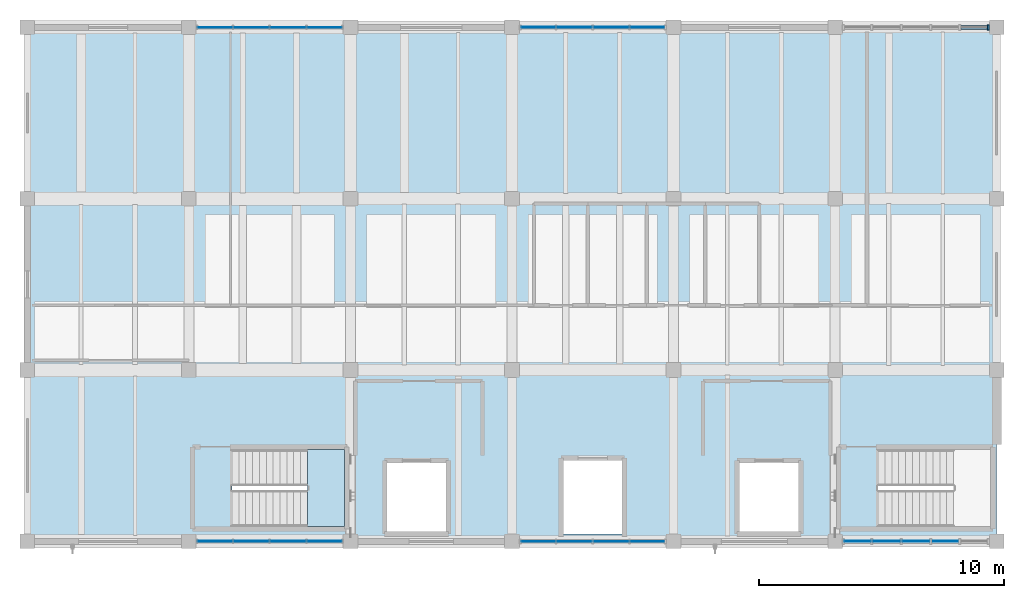
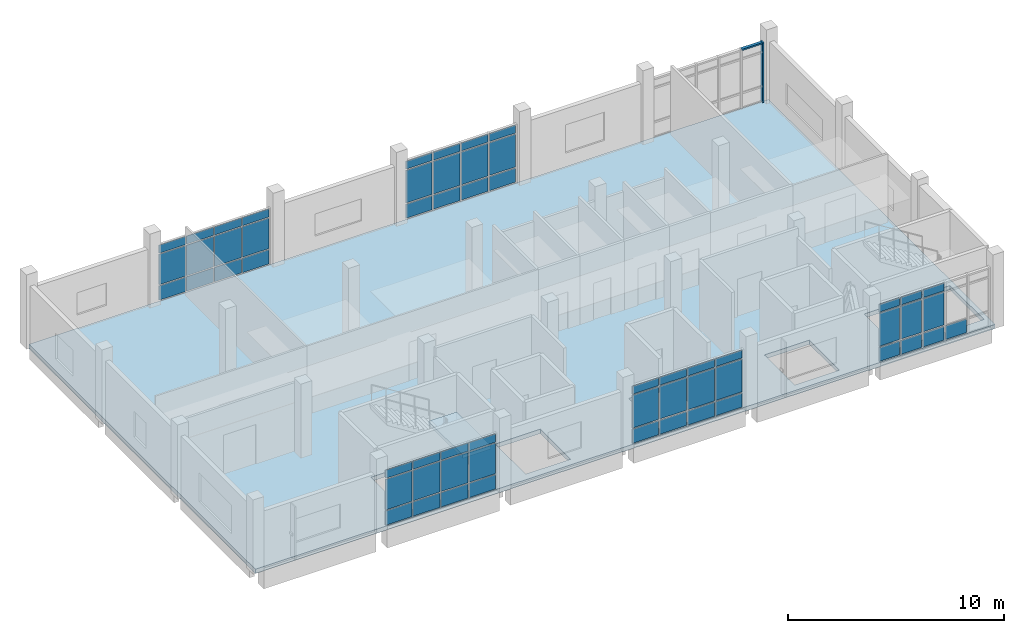
# One storey, part 6 of 14: 58 plates, 2 members, 2 slabs, 7 elements without a shape of their own.
"""IFC4 building model written with IfcOpenShell, lengths in metres."""

from ifc_helpers import new_model, si_unit, direction, frame, origin, origin_2d, place, context, subcontext, project, spatial, polyline, rectangle, outline, extrude, material, layer, layer_set, material_profile, profile_set, type_object, element, aggregate, save


model = new_model("IFC4")

# Units and contexts
model_context = context("Model", 3, precision=1e-05, world=origin(), true_north=direction((0.0, 1.0)))
body_context = subcontext(model_context, "Body", "Model", "MODEL_VIEW")
ifc_project = project(units=[si_unit("LENGTHUNIT", "METRE"), si_unit("AREAUNIT", "SQUARE_METRE"), si_unit("VOLUMEUNIT", "CUBIC_METRE"), si_unit("PLANEANGLEUNIT", "RADIAN"), si_unit("MASSUNIT", "GRAM", prefix="KILO")], contexts=[model_context])

# Site, building, storey
site_placement = place(None, origin())
site = spatial("IfcSite", under=ifc_project, at=site_placement, CompositionType="ELEMENT")
building_placement = place(site_placement, origin())
building = spatial("IfcBuilding", under=site, at=building_placement, Name="Ciguamira Faculty of Natural Sciences", CompositionType="ELEMENT")
storey_placement = place(building_placement, frame((0.0, 0.0, 33.60009765625)))
storey = spatial("IfcBuildingStorey", under=building, at=storey_placement, Name="L08", CompositionType="ELEMENT", Elevation=33.60009765625)

# Curtain wall, members
ifc_material_1 = material(Name="Anodized aluminium curtain wall", Category="aluminium")
curtain_wall_type_1 = type_object("IfcCurtainWallType", Name="CurtainWall_CW-03", PredefinedType="USERDEFINED", material=ifc_material_1)
curtain_wall_1_placement = place(storey_placement, origin())
curtain_wall_1 = element("IfcCurtainWall", 1, at=curtain_wall_1_placement, inside=storey, type_object=curtain_wall_type_1, Name="L08 unitised curtain wall 0159", ObjectType="UNITISED CURTAIN WALL", PredefinedType="USERDEFINED")
ifc_material_2 = material(Name="Anodized aluminium mullion", Category="aluminium")
ifc_material_profile_1 = material_profile(ifc_material_2, rectangle(XDim=0.080078125, YDim=0.219970703125, at=origin_2d()), Name="ALU-MUL-80X220")
ifc_profile_set_1 = profile_set([ifc_material_profile_1], Name="Anodized aluminium mullion")
member_type_1 = type_object("IfcMemberType", Name="CWMullion_CWM-03", PredefinedType="MULLION", material=ifc_profile_set_1)
member_1_placement = place(storey_placement, frame((103.159912109375, 115.0, 0.0), z_axis=(0.0, 0.0, 1.0), x_axis=(1.0, 0.0, 0.0)))
member_1 = element("IfcMember", 2, at=member_1_placement, type_object=member_type_1, Name="CW-03 mullion 6", PredefinedType="MULLION", context=body_context, shape_type="SweptSolid", body=[
    extrude(rectangle(XDim=0.080078125, YDim=0.219970703125, at=origin_2d()), origin(), (0.0, 0.0, 1.0), 3.385009765625),
])
ifc_material_3 = material(Name="Anodized aluminium transom", Category="aluminium")
ifc_material_profile_2 = material_profile(ifc_material_3, rectangle(XDim=0.080078125, YDim=0.159912109375, at=origin_2d()), Name="ALU-TRN-80X160")
ifc_profile_set_2 = profile_set([ifc_material_profile_2], Name="Anodized aluminium transom")
member_type_2 = type_object("IfcMemberType", Name="CWTransom_CWT-03", PredefinedType="USERDEFINED", material=ifc_profile_set_2)
member_2_placement = place(storey_placement, frame((102.0400390625, 115.0, 3.344970703125), z_axis=(1.0, 0.0, 0.0), x_axis=(0.0, 0.0, 1.0)))
member_2 = element("IfcMember", 3, at=member_2_placement, type_object=member_type_2, Name="CW-03 transom 5.4", ObjectType="TRANSOM", PredefinedType="USERDEFINED", context=body_context, shape_type="SweptSolid", body=[
    extrude(rectangle(XDim=0.080078125, YDim=0.159912109375, at=origin_2d()), origin(), (0.0, 0.0, 1.0), 1.080078125),
])
aggregate(curtain_wall_1, [member_1, member_2])

# Curtain wall, plates
curtain_wall_type_2 = type_object("IfcCurtainWallType", Name="CurtainWall_CW-11", PredefinedType="USERDEFINED", material=ifc_material_1)
curtain_wall_2_placement = place(storey_placement, origin())
curtain_wall_2 = element("IfcCurtainWall", 4, at=curtain_wall_2_placement, inside=storey, type_object=curtain_wall_type_2, Name="L08 unitised curtain wall 0155", ObjectType="UNITISED CURTAIN WALL", PredefinedType="USERDEFINED")
ifc_material_4 = material(Name="Low-E laminated solar glass", Category="glass")
ifc_layer_1 = layer(ifc_material_4, 0.028076171875, Name="Low-E laminated solar glass")
ifc_layer_set_1 = layer_set([ifc_layer_1], Name="Low-E laminated solar glass")
plate_type_1 = type_object("IfcPlateType", Name="CWPanel_CWP-01", PredefinedType="CURTAIN_PANEL", material=ifc_layer_set_1)
plate_1_placement = place(storey_placement, frame((84.767578125, 94.0, 0.06982421875), z_axis=(0.0, 0.0, 1.0), x_axis=(1.0, 0.0, 0.0)))
plate_1 = element("IfcPlate", 5, at=plate_1_placement, type_object=plate_type_1, Name="CW-11 panel 1.1", PredefinedType="CURTAIN_PANEL", context=body_context, shape_type="SweptSolid", body=[
    extrude(rectangle(XDim=1.39501953125, YDim=0.028076171875, at=origin_2d()), origin(), (0.0, 0.0, 1.0), 0.794921875),
])
plate_2_placement = place(storey_placement, frame((84.767578125, 94.0, 0.93505859375), z_axis=(0.0, 0.0, 1.0), x_axis=(1.0, 0.0, 0.0)))
plate_2 = element("IfcPlate", 6, at=plate_2_placement, type_object=plate_type_1, Name="CW-11 panel 1.2", PredefinedType="CURTAIN_PANEL", context=body_context, shape_type="SweptSolid", body=[
    extrude(rectangle(XDim=1.39501953125, YDim=0.028076171875, at=origin_2d()), origin(), (0.0, 0.0, 1.0), 1.844970703125),
])
plate_3_placement = place(storey_placement, frame((84.767578125, 94.0, 2.85009765625), z_axis=(0.0, 0.0, 1.0), x_axis=(1.0, 0.0, 0.0)))
plate_3 = element("IfcPlate", 7, at=plate_3_placement, type_object=plate_type_1, Name="CW-11 panel 1.3", PredefinedType="CURTAIN_PANEL", context=body_context, shape_type="SweptSolid", body=[
    extrude(rectangle(XDim=1.39501953125, YDim=0.028076171875, at=origin_2d()), origin(), (0.0, 0.0, 1.0), 0.445068359375),
])
plate_4_placement = place(storey_placement, frame((86.25, 94.0, 0.06982421875), z_axis=(0.0, 0.0, 1.0), x_axis=(1.0, 0.0, 0.0)))
plate_4 = element("IfcPlate", 8, at=plate_4_placement, type_object=plate_type_1, Name="CW-11 panel 2.1", PredefinedType="CURTAIN_PANEL", context=body_context, shape_type="SweptSolid", body=[
    extrude(rectangle(XDim=1.429931640625, YDim=0.028076171875, at=origin_2d()), origin(), (0.0, 0.0, 1.0), 0.794921875),
])
plate_5_placement = place(storey_placement, frame((86.25, 94.0, 0.93505859375), z_axis=(0.0, 0.0, 1.0), x_axis=(1.0, 0.0, 0.0)))
plate_5 = element("IfcPlate", 9, at=plate_5_placement, type_object=plate_type_1, Name="CW-11 panel 2.2", PredefinedType="CURTAIN_PANEL", context=body_context, shape_type="SweptSolid", body=[
    extrude(rectangle(XDim=1.429931640625, YDim=0.028076171875, at=origin_2d()), origin(), (0.0, 0.0, 1.0), 1.844970703125),
])
plate_6_placement = place(storey_placement, frame((86.25, 94.0, 2.85009765625), z_axis=(0.0, 0.0, 1.0), x_axis=(1.0, 0.0, 0.0)))
plate_6 = element("IfcPlate", 10, at=plate_6_placement, type_object=plate_type_1, Name="CW-11 panel 2.3", PredefinedType="CURTAIN_PANEL", context=body_context, shape_type="SweptSolid", body=[
    extrude(rectangle(XDim=1.429931640625, YDim=0.028076171875, at=origin_2d()), origin(), (0.0, 0.0, 1.0), 0.445068359375),
])
plate_7_placement = place(storey_placement, frame((87.75, 94.0, 0.06982421875), z_axis=(0.0, 0.0, 1.0), x_axis=(1.0, 0.0, 0.0)))
plate_7 = element("IfcPlate", 11, at=plate_7_placement, type_object=plate_type_1, Name="CW-11 panel 3.1", PredefinedType="CURTAIN_PANEL", context=body_context, shape_type="SweptSolid", body=[
    extrude(rectangle(XDim=1.429931640625, YDim=0.028076171875, at=origin_2d()), origin(), (0.0, 0.0, 1.0), 0.794921875),
])
plate_8_placement = place(storey_placement, frame((87.75, 94.0, 0.93505859375), z_axis=(0.0, 0.0, 1.0), x_axis=(1.0, 0.0, 0.0)))
plate_8 = element("IfcPlate", 12, at=plate_8_placement, type_object=plate_type_1, Name="CW-11 panel 3.2", PredefinedType="CURTAIN_PANEL", context=body_context, shape_type="SweptSolid", body=[
    extrude(rectangle(XDim=1.429931640625, YDim=0.028076171875, at=origin_2d()), origin(), (0.0, 0.0, 1.0), 1.844970703125),
])
plate_9_placement = place(storey_placement, frame((87.75, 94.0, 2.85009765625), z_axis=(0.0, 0.0, 1.0), x_axis=(1.0, 0.0, 0.0)))
plate_9 = element("IfcPlate", 13, at=plate_9_placement, type_object=plate_type_1, Name="CW-11 panel 3.3", PredefinedType="CURTAIN_PANEL", context=body_context, shape_type="SweptSolid", body=[
    extrude(rectangle(XDim=1.429931640625, YDim=0.028076171875, at=origin_2d()), origin(), (0.0, 0.0, 1.0), 0.445068359375),
])
plate_10_placement = place(storey_placement, frame((89.232421875, 94.0, 0.06982421875), z_axis=(0.0, 0.0, 1.0), x_axis=(1.0, 0.0, 0.0)))
plate_10 = element("IfcPlate", 14, at=plate_10_placement, type_object=plate_type_1, Name="CW-11 panel 4.1", PredefinedType="CURTAIN_PANEL", context=body_context, shape_type="SweptSolid", body=[
    extrude(rectangle(XDim=1.39501953125, YDim=0.028076171875, at=origin_2d()), origin(), (0.0, 0.0, 1.0), 0.794921875),
])
plate_11_placement = place(storey_placement, frame((89.232421875, 94.0, 0.93505859375), z_axis=(0.0, 0.0, 1.0), x_axis=(1.0, 0.0, 0.0)))
plate_11 = element("IfcPlate", 15, at=plate_11_placement, type_object=plate_type_1, Name="CW-11 panel 4.2", PredefinedType="CURTAIN_PANEL", context=body_context, shape_type="SweptSolid", body=[
    extrude(rectangle(XDim=1.39501953125, YDim=0.028076171875, at=origin_2d()), origin(), (0.0, 0.0, 1.0), 1.844970703125),
])
plate_12_placement = place(storey_placement, frame((89.232421875, 94.0, 2.85009765625), z_axis=(0.0, 0.0, 1.0), x_axis=(1.0, 0.0, 0.0)))
plate_12 = element("IfcPlate", 16, at=plate_12_placement, type_object=plate_type_1, Name="CW-11 panel 4.3", PredefinedType="CURTAIN_PANEL", context=body_context, shape_type="SweptSolid", body=[
    extrude(rectangle(XDim=1.39501953125, YDim=0.028076171875, at=origin_2d()), origin(), (0.0, 0.0, 1.0), 0.445068359375),
])
aggregate(curtain_wall_2, [plate_1, plate_2, plate_3, plate_4, plate_5, plate_6, plate_7, plate_8, plate_9, plate_10, plate_11, plate_12])

curtain_wall_type_3 = type_object("IfcCurtainWallType", Name="CurtainWall_CW-01", PredefinedType="USERDEFINED", material=ifc_material_1)
curtain_wall_3_placement = place(storey_placement, origin())
curtain_wall_3 = element("IfcCurtainWall", 17, at=curtain_wall_3_placement, inside=storey, type_object=curtain_wall_type_3, Name="L08 unitised curtain wall 0157", ObjectType="UNITISED CURTAIN WALL", PredefinedType="USERDEFINED")
plate_13_placement = place(storey_placement, frame((71.56494140625, 115.0, 0.059814453125), z_axis=(0.0, 0.0, 1.0), x_axis=(1.0, 0.0, 0.0)))
plate_13 = element("IfcPlate", 18, at=plate_13_placement, type_object=plate_type_1, Name="CW-01 panel 1.1", PredefinedType="CURTAIN_PANEL", context=body_context, shape_type="SweptSolid", body=[
    extrude(rectangle(XDim=1.409912109375, YDim=0.028076171875, at=origin_2d()), origin(), (0.0, 0.0, 1.0), 0.81005859375),
])
plate_14_placement = place(storey_placement, frame((71.56494140625, 115.0, 0.929931640625), z_axis=(0.0, 0.0, 1.0), x_axis=(1.0, 0.0, 0.0)))
plate_14 = element("IfcPlate", 19, at=plate_14_placement, type_object=plate_type_1, Name="CW-01 panel 1.2", PredefinedType="CURTAIN_PANEL", context=body_context, shape_type="SweptSolid", body=[
    extrude(rectangle(XDim=1.409912109375, YDim=0.028076171875, at=origin_2d()), origin(), (0.0, 0.0, 1.0), 1.72509765625),
])
plate_15_placement = place(storey_placement, frame((71.56494140625, 115.0, 2.71484375), z_axis=(0.0, 0.0, 1.0), x_axis=(1.0, 0.0, 0.0)))
plate_15 = element("IfcPlate", 20, at=plate_15_placement, type_object=plate_type_1, Name="CW-01 panel 1.3", PredefinedType="CURTAIN_PANEL", context=body_context, shape_type="SweptSolid", body=[
    extrude(rectangle(XDim=1.409912109375, YDim=0.028076171875, at=origin_2d()), origin(), (0.0, 0.0, 1.0), 0.4599609375),
])
plate_16_placement = place(storey_placement, frame((73.050048828125, 115.0, 0.059814453125), z_axis=(0.0, 0.0, 1.0), x_axis=(1.0, 0.0, 0.0)))
plate_16 = element("IfcPlate", 21, at=plate_16_placement, type_object=plate_type_1, Name="CW-01 panel 2.1", PredefinedType="CURTAIN_PANEL", context=body_context, shape_type="SweptSolid", body=[
    extrude(rectangle(XDim=1.43994140625, YDim=0.028076171875, at=origin_2d()), origin(), (0.0, 0.0, 1.0), 0.81005859375),
])
plate_17_placement = place(storey_placement, frame((73.050048828125, 115.0, 0.929931640625), z_axis=(0.0, 0.0, 1.0), x_axis=(1.0, 0.0, 0.0)))
plate_17 = element("IfcPlate", 22, at=plate_17_placement, type_object=plate_type_1, Name="CW-01 panel 2.2", PredefinedType="CURTAIN_PANEL", context=body_context, shape_type="SweptSolid", body=[
    extrude(rectangle(XDim=1.43994140625, YDim=0.028076171875, at=origin_2d()), origin(), (0.0, 0.0, 1.0), 1.72509765625),
])
plate_18_placement = place(storey_placement, frame((73.050048828125, 115.0, 2.71484375), z_axis=(0.0, 0.0, 1.0), x_axis=(1.0, 0.0, 0.0)))
plate_18 = element("IfcPlate", 23, at=plate_18_placement, type_object=plate_type_1, Name="CW-01 panel 2.3", PredefinedType="CURTAIN_PANEL", context=body_context, shape_type="SweptSolid", body=[
    extrude(rectangle(XDim=1.43994140625, YDim=0.028076171875, at=origin_2d()), origin(), (0.0, 0.0, 1.0), 0.4599609375),
])
plate_19_placement = place(storey_placement, frame((74.550048828125, 115.0, 0.059814453125), z_axis=(0.0, 0.0, 1.0), x_axis=(1.0, 0.0, 0.0)))
plate_19 = element("IfcPlate", 24, at=plate_19_placement, type_object=plate_type_1, Name="CW-01 panel 3.1", PredefinedType="CURTAIN_PANEL", context=body_context, shape_type="SweptSolid", body=[
    extrude(rectangle(XDim=1.43994140625, YDim=0.028076171875, at=origin_2d()), origin(), (0.0, 0.0, 1.0), 0.81005859375),
])
plate_20_placement = place(storey_placement, frame((74.550048828125, 115.0, 0.929931640625), z_axis=(0.0, 0.0, 1.0), x_axis=(1.0, 0.0, 0.0)))
plate_20 = element("IfcPlate", 25, at=plate_20_placement, type_object=plate_type_1, Name="CW-01 panel 3.2", PredefinedType="CURTAIN_PANEL", context=body_context, shape_type="SweptSolid", body=[
    extrude(rectangle(XDim=1.43994140625, YDim=0.028076171875, at=origin_2d()), origin(), (0.0, 0.0, 1.0), 1.72509765625),
])
plate_21_placement = place(storey_placement, frame((74.550048828125, 115.0, 2.71484375), z_axis=(0.0, 0.0, 1.0), x_axis=(1.0, 0.0, 0.0)))
plate_21 = element("IfcPlate", 26, at=plate_21_placement, type_object=plate_type_1, Name="CW-01 panel 3.3", PredefinedType="CURTAIN_PANEL", context=body_context, shape_type="SweptSolid", body=[
    extrude(rectangle(XDim=1.43994140625, YDim=0.028076171875, at=origin_2d()), origin(), (0.0, 0.0, 1.0), 0.4599609375),
])
plate_22_placement = place(storey_placement, frame((76.034912109375, 115.0, 0.059814453125), z_axis=(0.0, 0.0, 1.0), x_axis=(1.0, 0.0, 0.0)))
plate_22 = element("IfcPlate", 27, at=plate_22_placement, type_object=plate_type_1, Name="CW-01 panel 4.1", PredefinedType="CURTAIN_PANEL", context=body_context, shape_type="SweptSolid", body=[
    extrude(rectangle(XDim=1.409912109375, YDim=0.028076171875, at=origin_2d()), origin(), (0.0, 0.0, 1.0), 0.81005859375),
])
plate_23_placement = place(storey_placement, frame((76.034912109375, 115.0, 0.929931640625), z_axis=(0.0, 0.0, 1.0), x_axis=(1.0, 0.0, 0.0)))
plate_23 = element("IfcPlate", 28, at=plate_23_placement, type_object=plate_type_1, Name="CW-01 panel 4.2", PredefinedType="CURTAIN_PANEL", context=body_context, shape_type="SweptSolid", body=[
    extrude(rectangle(XDim=1.409912109375, YDim=0.028076171875, at=origin_2d()), origin(), (0.0, 0.0, 1.0), 1.72509765625),
])
plate_24_placement = place(storey_placement, frame((76.034912109375, 115.0, 2.71484375), z_axis=(0.0, 0.0, 1.0), x_axis=(1.0, 0.0, 0.0)))
plate_24 = element("IfcPlate", 29, at=plate_24_placement, type_object=plate_type_1, Name="CW-01 panel 4.3", PredefinedType="CURTAIN_PANEL", context=body_context, shape_type="SweptSolid", body=[
    extrude(rectangle(XDim=1.409912109375, YDim=0.028076171875, at=origin_2d()), origin(), (0.0, 0.0, 1.0), 0.4599609375),
])
aggregate(curtain_wall_3, [plate_13, plate_14, plate_15, plate_16, plate_17, plate_18, plate_19, plate_20, plate_21, plate_22, plate_23, plate_24])

curtain_wall_type_4 = type_object("IfcCurtainWallType", Name="CurtainWall_CW-10", PredefinedType="USERDEFINED", material=ifc_material_1)
curtain_wall_4_placement = place(storey_placement, origin())
curtain_wall_4 = element("IfcCurtainWall", 30, at=curtain_wall_4_placement, inside=storey, type_object=curtain_wall_type_4, Name="L08 unitised curtain wall 0154", ObjectType="UNITISED CURTAIN WALL", PredefinedType="USERDEFINED")
ifc_layer_2 = layer(ifc_material_4, 0.035888671875, Name="Low-E laminated solar glass")
ifc_layer_set_2 = layer_set([ifc_layer_2], Name="Low-E laminated solar glass")
plate_type_2 = type_object("IfcPlateType", Name="CWPanel_CWP-02", PredefinedType="CURTAIN_PANEL", material=ifc_layer_set_2)
plate_25_placement = place(storey_placement, frame((71.56494140625, 94.0, 0.059814453125), z_axis=(0.0, 0.0, 1.0), x_axis=(1.0, 0.0, 0.0)))
plate_25 = element("IfcPlate", 31, at=plate_25_placement, type_object=plate_type_2, Name="CW-10 panel 1.1", PredefinedType="CURTAIN_PANEL", context=body_context, shape_type="SweptSolid", body=[
    extrude(rectangle(XDim=1.409912109375, YDim=0.035888671875, at=origin_2d()), origin(), (0.0, 0.0, 1.0), 0.81005859375),
])
plate_26_placement = place(storey_placement, frame((71.56494140625, 94.0, 0.929931640625), z_axis=(0.0, 0.0, 1.0), x_axis=(1.0, 0.0, 0.0)))
plate_26 = element("IfcPlate", 32, at=plate_26_placement, type_object=plate_type_2, Name="CW-10 panel 1.2", PredefinedType="CURTAIN_PANEL", context=body_context, shape_type="SweptSolid", body=[
    extrude(rectangle(XDim=1.409912109375, YDim=0.035888671875, at=origin_2d()), origin(), (0.0, 0.0, 1.0), 1.72509765625),
])
plate_27_placement = place(storey_placement, frame((71.56494140625, 94.0, 2.71484375), z_axis=(0.0, 0.0, 1.0), x_axis=(1.0, 0.0, 0.0)))
plate_27 = element("IfcPlate", 33, at=plate_27_placement, type_object=plate_type_2, Name="CW-10 panel 1.3", PredefinedType="CURTAIN_PANEL", context=body_context, shape_type="SweptSolid", body=[
    extrude(rectangle(XDim=1.409912109375, YDim=0.035888671875, at=origin_2d()), origin(), (0.0, 0.0, 1.0), 0.4599609375),
])
plate_28_placement = place(storey_placement, frame((73.050048828125, 94.0, 0.059814453125), z_axis=(0.0, 0.0, 1.0), x_axis=(1.0, 0.0, 0.0)))
plate_28 = element("IfcPlate", 34, at=plate_28_placement, type_object=plate_type_2, Name="CW-10 panel 2.1", PredefinedType="CURTAIN_PANEL", context=body_context, shape_type="SweptSolid", body=[
    extrude(rectangle(XDim=1.43994140625, YDim=0.035888671875, at=origin_2d()), origin(), (0.0, 0.0, 1.0), 0.81005859375),
])
plate_29_placement = place(storey_placement, frame((73.050048828125, 94.0, 0.929931640625), z_axis=(0.0, 0.0, 1.0), x_axis=(1.0, 0.0, 0.0)))
plate_29 = element("IfcPlate", 35, at=plate_29_placement, type_object=plate_type_2, Name="CW-10 panel 2.2", PredefinedType="CURTAIN_PANEL", context=body_context, shape_type="SweptSolid", body=[
    extrude(rectangle(XDim=1.43994140625, YDim=0.035888671875, at=origin_2d()), origin(), (0.0, 0.0, 1.0), 1.72509765625),
])
plate_30_placement = place(storey_placement, frame((73.050048828125, 94.0, 2.71484375), z_axis=(0.0, 0.0, 1.0), x_axis=(1.0, 0.0, 0.0)))
plate_30 = element("IfcPlate", 36, at=plate_30_placement, type_object=plate_type_2, Name="CW-10 panel 2.3", PredefinedType="CURTAIN_PANEL", context=body_context, shape_type="SweptSolid", body=[
    extrude(rectangle(XDim=1.43994140625, YDim=0.035888671875, at=origin_2d()), origin(), (0.0, 0.0, 1.0), 0.4599609375),
])
plate_31_placement = place(storey_placement, frame((74.550048828125, 94.0, 0.059814453125), z_axis=(0.0, 0.0, 1.0), x_axis=(1.0, 0.0, 0.0)))
plate_31 = element("IfcPlate", 37, at=plate_31_placement, type_object=plate_type_2, Name="CW-10 panel 3.1", PredefinedType="CURTAIN_PANEL", context=body_context, shape_type="SweptSolid", body=[
    extrude(rectangle(XDim=1.43994140625, YDim=0.035888671875, at=origin_2d()), origin(), (0.0, 0.0, 1.0), 0.81005859375),
])
plate_32_placement = place(storey_placement, frame((74.550048828125, 94.0, 0.929931640625), z_axis=(0.0, 0.0, 1.0), x_axis=(1.0, 0.0, 0.0)))
plate_32 = element("IfcPlate", 38, at=plate_32_placement, type_object=plate_type_2, Name="CW-10 panel 3.2", PredefinedType="CURTAIN_PANEL", context=body_context, shape_type="SweptSolid", body=[
    extrude(rectangle(XDim=1.43994140625, YDim=0.035888671875, at=origin_2d()), origin(), (0.0, 0.0, 1.0), 1.72509765625),
])
plate_33_placement = place(storey_placement, frame((74.550048828125, 94.0, 2.71484375), z_axis=(0.0, 0.0, 1.0), x_axis=(1.0, 0.0, 0.0)))
plate_33 = element("IfcPlate", 39, at=plate_33_placement, type_object=plate_type_2, Name="CW-10 panel 3.3", PredefinedType="CURTAIN_PANEL", context=body_context, shape_type="SweptSolid", body=[
    extrude(rectangle(XDim=1.43994140625, YDim=0.035888671875, at=origin_2d()), origin(), (0.0, 0.0, 1.0), 0.4599609375),
])
plate_34_placement = place(storey_placement, frame((76.034912109375, 94.0, 0.059814453125), z_axis=(0.0, 0.0, 1.0), x_axis=(1.0, 0.0, 0.0)))
plate_34 = element("IfcPlate", 40, at=plate_34_placement, type_object=plate_type_2, Name="CW-10 panel 4.1", PredefinedType="CURTAIN_PANEL", context=body_context, shape_type="SweptSolid", body=[
    extrude(rectangle(XDim=1.409912109375, YDim=0.035888671875, at=origin_2d()), origin(), (0.0, 0.0, 1.0), 0.81005859375),
])
plate_35_placement = place(storey_placement, frame((76.034912109375, 94.0, 0.929931640625), z_axis=(0.0, 0.0, 1.0), x_axis=(1.0, 0.0, 0.0)))
plate_35 = element("IfcPlate", 41, at=plate_35_placement, type_object=plate_type_2, Name="CW-10 panel 4.2", PredefinedType="CURTAIN_PANEL", context=body_context, shape_type="SweptSolid", body=[
    extrude(rectangle(XDim=1.409912109375, YDim=0.035888671875, at=origin_2d()), origin(), (0.0, 0.0, 1.0), 1.72509765625),
])
plate_36_placement = place(storey_placement, frame((76.034912109375, 94.0, 2.71484375), z_axis=(0.0, 0.0, 1.0), x_axis=(1.0, 0.0, 0.0)))
plate_36 = element("IfcPlate", 42, at=plate_36_placement, type_object=plate_type_2, Name="CW-10 panel 4.3", PredefinedType="CURTAIN_PANEL", context=body_context, shape_type="SweptSolid", body=[
    extrude(rectangle(XDim=1.409912109375, YDim=0.035888671875, at=origin_2d()), origin(), (0.0, 0.0, 1.0), 0.4599609375),
])
aggregate(curtain_wall_4, [plate_25, plate_26, plate_27, plate_28, plate_29, plate_30, plate_31, plate_32, plate_33, plate_34, plate_35, plate_36])

curtain_wall_type_5 = type_object("IfcCurtainWallType", Name="CurtainWall_CW-12", PredefinedType="USERDEFINED", material=ifc_material_1)
curtain_wall_5_placement = place(storey_placement, origin())
curtain_wall_5 = element("IfcCurtainWall", 43, at=curtain_wall_5_placement, inside=storey, type_object=curtain_wall_type_5, Name="L08 unitised curtain wall 0156", ObjectType="UNITISED CURTAIN WALL", PredefinedType="USERDEFINED")
plate_37_placement = place(storey_placement, frame((97.820068359375, 94.0, 0.080078125), z_axis=(0.0, 0.0, 1.0), x_axis=(1.0, 0.0, 0.0)))
plate_37 = element("IfcPlate", 44, at=plate_37_placement, type_object=plate_type_2, Name="CW-12 panel 1.1", PredefinedType="CURTAIN_PANEL", context=body_context, shape_type="SweptSolid", body=[
    extrude(rectangle(XDim=1.080078125, YDim=0.035888671875, at=origin_2d()), origin(), (0.0, 0.0, 1.0), 0.780029296875),
])
plate_38_placement = place(storey_placement, frame((97.820068359375, 94.0, 0.93994140625), z_axis=(0.0, 0.0, 1.0), x_axis=(1.0, 0.0, 0.0)))
plate_38 = element("IfcPlate", 45, at=plate_38_placement, type_object=plate_type_2, Name="CW-12 panel 1.2", PredefinedType="CURTAIN_PANEL", context=body_context, shape_type="SweptSolid", body=[
    extrude(rectangle(XDim=1.080078125, YDim=0.035888671875, at=origin_2d()), origin(), (0.0, 0.0, 1.0), 1.85498046875),
])
plate_39_placement = place(storey_placement, frame((97.820068359375, 94.0, 2.875), z_axis=(0.0, 0.0, 1.0), x_axis=(1.0, 0.0, 0.0)))
plate_39 = element("IfcPlate", 46, at=plate_39_placement, type_object=plate_type_2, Name="CW-12 panel 1.3", PredefinedType="CURTAIN_PANEL", context=body_context, shape_type="SweptSolid", body=[
    extrude(rectangle(XDim=1.080078125, YDim=0.035888671875, at=origin_2d()), origin(), (0.0, 0.0, 1.0), 0.429931640625),
])
plate_40_placement = place(storey_placement, frame((99.0, 94.0, 0.080078125), z_axis=(0.0, 0.0, 1.0), x_axis=(1.0, 0.0, 0.0)))
plate_40 = element("IfcPlate", 47, at=plate_40_placement, type_object=plate_type_2, Name="CW-12 panel 2.1", PredefinedType="CURTAIN_PANEL", context=body_context, shape_type="SweptSolid", body=[
    extrude(rectangle(XDim=1.1201171875, YDim=0.035888671875, at=origin_2d()), origin(), (0.0, 0.0, 1.0), 0.780029296875),
])
plate_41_placement = place(storey_placement, frame((99.0, 94.0, 0.93994140625), z_axis=(0.0, 0.0, 1.0), x_axis=(1.0, 0.0, 0.0)))
plate_41 = element("IfcPlate", 48, at=plate_41_placement, type_object=plate_type_2, Name="CW-12 panel 2.2", PredefinedType="CURTAIN_PANEL", context=body_context, shape_type="SweptSolid", body=[
    extrude(rectangle(XDim=1.1201171875, YDim=0.035888671875, at=origin_2d()), origin(), (0.0, 0.0, 1.0), 1.85498046875),
])
plate_42_placement = place(storey_placement, frame((99.0, 94.0, 2.875), z_axis=(0.0, 0.0, 1.0), x_axis=(1.0, 0.0, 0.0)))
plate_42 = element("IfcPlate", 49, at=plate_42_placement, type_object=plate_type_2, Name="CW-12 panel 2.3", PredefinedType="CURTAIN_PANEL", context=body_context, shape_type="SweptSolid", body=[
    extrude(rectangle(XDim=1.1201171875, YDim=0.035888671875, at=origin_2d()), origin(), (0.0, 0.0, 1.0), 0.429931640625),
])
plate_43_placement = place(storey_placement, frame((100.199951171875, 94.0, 0.080078125), z_axis=(0.0, 0.0, 1.0), x_axis=(1.0, 0.0, 0.0)))
plate_43 = element("IfcPlate", 50, at=plate_43_placement, type_object=plate_type_2, Name="CW-12 panel 3.1", PredefinedType="CURTAIN_PANEL", context=body_context, shape_type="SweptSolid", body=[
    extrude(rectangle(XDim=1.1201171875, YDim=0.035888671875, at=origin_2d()), origin(), (0.0, 0.0, 1.0), 0.780029296875),
])
plate_44_placement = place(storey_placement, frame((100.199951171875, 94.0, 0.93994140625), z_axis=(0.0, 0.0, 1.0), x_axis=(1.0, 0.0, 0.0)))
plate_44 = element("IfcPlate", 51, at=plate_44_placement, type_object=plate_type_2, Name="CW-12 panel 3.2", PredefinedType="CURTAIN_PANEL", context=body_context, shape_type="SweptSolid", body=[
    extrude(rectangle(XDim=1.1201171875, YDim=0.035888671875, at=origin_2d()), origin(), (0.0, 0.0, 1.0), 1.85498046875),
])
plate_45_placement = place(storey_placement, frame((100.199951171875, 94.0, 2.875), z_axis=(0.0, 0.0, 1.0), x_axis=(1.0, 0.0, 0.0)))
plate_45 = element("IfcPlate", 52, at=plate_45_placement, type_object=plate_type_2, Name="CW-12 panel 3.3", PredefinedType="CURTAIN_PANEL", context=body_context, shape_type="SweptSolid", body=[
    extrude(rectangle(XDim=1.1201171875, YDim=0.035888671875, at=origin_2d()), origin(), (0.0, 0.0, 1.0), 0.429931640625),
])
plate_46_placement = place(storey_placement, frame((101.39990234375, 94.0, 0.080078125), z_axis=(0.0, 0.0, 1.0), x_axis=(1.0, 0.0, 0.0)))
plate_46 = element("IfcPlate", 53, at=plate_46_placement, type_object=plate_type_2, Name="CW-12 panel 4.1", PredefinedType="CURTAIN_PANEL", context=body_context, shape_type="SweptSolid", body=[
    extrude(rectangle(XDim=1.1201171875, YDim=0.035888671875, at=origin_2d()), origin(), (0.0, 0.0, 1.0), 0.780029296875),
])
aggregate(curtain_wall_5, [plate_37, plate_38, plate_39, plate_40, plate_41, plate_42, plate_43, plate_44, plate_45, plate_46])

curtain_wall_type_6 = type_object("IfcCurtainWallType", Name="CurtainWall_CW-02", PredefinedType="USERDEFINED", material=ifc_material_1)
curtain_wall_6_placement = place(storey_placement, origin())
curtain_wall_6 = element("IfcCurtainWall", 54, at=curtain_wall_6_placement, inside=storey, type_object=curtain_wall_type_6, Name="L08 unitised curtain wall 0158", ObjectType="UNITISED CURTAIN WALL", PredefinedType="USERDEFINED")
plate_47_placement = place(storey_placement, frame((84.767578125, 115.0, 0.06982421875), z_axis=(0.0, 0.0, 1.0), x_axis=(1.0, 0.0, 0.0)))
plate_47 = element("IfcPlate", 55, at=plate_47_placement, type_object=plate_type_2, Name="CW-02 panel 1.1", PredefinedType="CURTAIN_PANEL", context=body_context, shape_type="SweptSolid", body=[
    extrude(rectangle(XDim=1.39501953125, YDim=0.035888671875, at=origin_2d()), origin(), (0.0, 0.0, 1.0), 0.794921875),
])
plate_48_placement = place(storey_placement, frame((84.767578125, 115.0, 0.93505859375), z_axis=(0.0, 0.0, 1.0), x_axis=(1.0, 0.0, 0.0)))
plate_48 = element("IfcPlate", 56, at=plate_48_placement, type_object=plate_type_2, Name="CW-02 panel 1.2", PredefinedType="CURTAIN_PANEL", context=body_context, shape_type="SweptSolid", body=[
    extrude(rectangle(XDim=1.39501953125, YDim=0.035888671875, at=origin_2d()), origin(), (0.0, 0.0, 1.0), 1.844970703125),
])
plate_49_placement = place(storey_placement, frame((84.767578125, 115.0, 2.85009765625), z_axis=(0.0, 0.0, 1.0), x_axis=(1.0, 0.0, 0.0)))
plate_49 = element("IfcPlate", 57, at=plate_49_placement, type_object=plate_type_2, Name="CW-02 panel 1.3", PredefinedType="CURTAIN_PANEL", context=body_context, shape_type="SweptSolid", body=[
    extrude(rectangle(XDim=1.39501953125, YDim=0.035888671875, at=origin_2d()), origin(), (0.0, 0.0, 1.0), 0.445068359375),
])
plate_50_placement = place(storey_placement, frame((86.25, 115.0, 0.06982421875), z_axis=(0.0, 0.0, 1.0), x_axis=(1.0, 0.0, 0.0)))
plate_50 = element("IfcPlate", 58, at=plate_50_placement, type_object=plate_type_2, Name="CW-02 panel 2.1", PredefinedType="CURTAIN_PANEL", context=body_context, shape_type="SweptSolid", body=[
    extrude(rectangle(XDim=1.429931640625, YDim=0.035888671875, at=origin_2d()), origin(), (0.0, 0.0, 1.0), 0.794921875),
])
plate_51_placement = place(storey_placement, frame((86.25, 115.0, 0.93505859375), z_axis=(0.0, 0.0, 1.0), x_axis=(1.0, 0.0, 0.0)))
plate_51 = element("IfcPlate", 59, at=plate_51_placement, type_object=plate_type_2, Name="CW-02 panel 2.2", PredefinedType="CURTAIN_PANEL", context=body_context, shape_type="SweptSolid", body=[
    extrude(rectangle(XDim=1.429931640625, YDim=0.035888671875, at=origin_2d()), origin(), (0.0, 0.0, 1.0), 1.844970703125),
])
plate_52_placement = place(storey_placement, frame((86.25, 115.0, 2.85009765625), z_axis=(0.0, 0.0, 1.0), x_axis=(1.0, 0.0, 0.0)))
plate_52 = element("IfcPlate", 60, at=plate_52_placement, type_object=plate_type_2, Name="CW-02 panel 2.3", PredefinedType="CURTAIN_PANEL", context=body_context, shape_type="SweptSolid", body=[
    extrude(rectangle(XDim=1.429931640625, YDim=0.035888671875, at=origin_2d()), origin(), (0.0, 0.0, 1.0), 0.445068359375),
])
plate_53_placement = place(storey_placement, frame((87.75, 115.0, 0.06982421875), z_axis=(0.0, 0.0, 1.0), x_axis=(1.0, 0.0, 0.0)))
plate_53 = element("IfcPlate", 61, at=plate_53_placement, type_object=plate_type_2, Name="CW-02 panel 3.1", PredefinedType="CURTAIN_PANEL", context=body_context, shape_type="SweptSolid", body=[
    extrude(rectangle(XDim=1.429931640625, YDim=0.035888671875, at=origin_2d()), origin(), (0.0, 0.0, 1.0), 0.794921875),
])
plate_54_placement = place(storey_placement, frame((87.75, 115.0, 0.93505859375), z_axis=(0.0, 0.0, 1.0), x_axis=(1.0, 0.0, 0.0)))
plate_54 = element("IfcPlate", 62, at=plate_54_placement, type_object=plate_type_2, Name="CW-02 panel 3.2", PredefinedType="CURTAIN_PANEL", context=body_context, shape_type="SweptSolid", body=[
    extrude(rectangle(XDim=1.429931640625, YDim=0.035888671875, at=origin_2d()), origin(), (0.0, 0.0, 1.0), 1.844970703125),
])
plate_55_placement = place(storey_placement, frame((87.75, 115.0, 2.85009765625), z_axis=(0.0, 0.0, 1.0), x_axis=(1.0, 0.0, 0.0)))
plate_55 = element("IfcPlate", 63, at=plate_55_placement, type_object=plate_type_2, Name="CW-02 panel 3.3", PredefinedType="CURTAIN_PANEL", context=body_context, shape_type="SweptSolid", body=[
    extrude(rectangle(XDim=1.429931640625, YDim=0.035888671875, at=origin_2d()), origin(), (0.0, 0.0, 1.0), 0.445068359375),
])
plate_56_placement = place(storey_placement, frame((89.232421875, 115.0, 0.06982421875), z_axis=(0.0, 0.0, 1.0), x_axis=(1.0, 0.0, 0.0)))
plate_56 = element("IfcPlate", 64, at=plate_56_placement, type_object=plate_type_2, Name="CW-02 panel 4.1", PredefinedType="CURTAIN_PANEL", context=body_context, shape_type="SweptSolid", body=[
    extrude(rectangle(XDim=1.39501953125, YDim=0.035888671875, at=origin_2d()), origin(), (0.0, 0.0, 1.0), 0.794921875),
])
plate_57_placement = place(storey_placement, frame((89.232421875, 115.0, 0.93505859375), z_axis=(0.0, 0.0, 1.0), x_axis=(1.0, 0.0, 0.0)))
plate_57 = element("IfcPlate", 65, at=plate_57_placement, type_object=plate_type_2, Name="CW-02 panel 4.2", PredefinedType="CURTAIN_PANEL", context=body_context, shape_type="SweptSolid", body=[
    extrude(rectangle(XDim=1.39501953125, YDim=0.035888671875, at=origin_2d()), origin(), (0.0, 0.0, 1.0), 1.844970703125),
])
plate_58_placement = place(storey_placement, frame((89.232421875, 115.0, 2.85009765625), z_axis=(0.0, 0.0, 1.0), x_axis=(1.0, 0.0, 0.0)))
plate_58 = element("IfcPlate", 66, at=plate_58_placement, type_object=plate_type_2, Name="CW-02 panel 4.3", PredefinedType="CURTAIN_PANEL", context=body_context, shape_type="SweptSolid", body=[
    extrude(rectangle(XDim=1.39501953125, YDim=0.035888671875, at=origin_2d()), origin(), (0.0, 0.0, 1.0), 0.445068359375),
])
aggregate(curtain_wall_6, [plate_47, plate_48, plate_49, plate_50, plate_51, plate_52, plate_53, plate_54, plate_55, plate_56, plate_57, plate_58])

# Slab
ifc_material_5 = material(Name="Concrete C40/50", Category="concrete")
ifc_layer_3 = layer(ifc_material_5, 0.239990234375, Name="Concrete C40/50")
ifc_layer_set_3 = layer_set([ifc_layer_3], Name="Concrete C40/50")
slab_type_1 = type_object("IfcSlabType", Name="Slab_SF-05_240", PredefinedType="FLOOR", material=ifc_layer_set_3)
slab_1_placement = place(storey_placement, frame((0.0, 0.0, -0.239990234375)))
element("IfcSlab", 67, at=slab_1_placement, inside=storey, type_object=slab_type_1, Name="L08 V5 structural slab", PredefinedType="FLOOR", context=body_context, shape_type="SweptSolid", body=[
    extrude(outline(polyline([(63.89990234375, 94.0), (103.5, 94.0), (103.5, 115.0), (63.89990234375, 115.0), (63.89990234375, 94.0)]), holes=[polyline([(72.260009765625, 94.60009765625), (76.85009765625, 94.60009765625), (76.85009765625, 97.760009765625), (72.260009765625, 97.760009765625), (72.260009765625, 94.60009765625)]), polyline([(98.659912109375, 94.60009765625), (103.25, 94.60009765625), (103.25, 97.760009765625), (98.659912109375, 97.760009765625), (98.659912109375, 94.60009765625)]), polyline([(78.60009765625, 94.39990234375), (81.0, 94.39990234375), (81.0, 97.199951171875), (78.60009765625, 97.199951171875), (78.60009765625, 94.39990234375)]), polyline([(93.0, 94.39990234375), (95.39990234375, 94.39990234375), (95.39990234375, 97.199951171875), (93.0, 97.199951171875), (93.0, 94.39990234375)]), polyline([(85.800048828125, 94.300048828125), (88.199951171875, 94.300048828125), (88.199951171875, 97.300048828125), (85.800048828125, 97.300048828125), (85.800048828125, 94.300048828125)])]), origin(), (0.0, 0.0, 1.0), 0.239990234375),
])

# Stair, slab
stair_type = type_object("IfcStairType", Name="Stair_STR-01", PredefinedType="HALF_TURN_STAIR", material=ifc_material_5)
stair_placement = place(storey_placement, origin())
stair = element("IfcStair", 68, at=stair_placement, inside=storey, type_object=stair_type, Name="L08 Tower West Exit Stair", PredefinedType="HALF_TURN_STAIR")
ifc_layer_4 = layer(ifc_material_5, 0.199951171875, Name="Concrete C40/50")
ifc_layer_set_4 = layer_set([ifc_layer_4], Name="Concrete C40/50")
slab_type_2 = type_object("IfcSlabType", Name="StairLanding_SLD01", PredefinedType="LANDING", material=ifc_layer_set_4)
slab_2_placement = place(storey_placement, frame((0.0, 0.0, 1.89990234375)))
slab_2 = element("IfcSlab", 69, at=slab_2_placement, type_object=slab_type_2, Name="ST-T1 landing 1", PredefinedType="LANDING", context=body_context, shape_type="SweptSolid", body=[
    extrude(outline(polyline([(75.340087890625, 94.60009765625), (76.85009765625, 94.60009765625), (76.85009765625, 97.760009765625), (75.340087890625, 97.760009765625), (75.340087890625, 94.60009765625)])), origin(), (0.0, 0.0, 1.0), 0.199951171875),
])
aggregate(stair, [slab_2])

save(model, "model.ifc")
